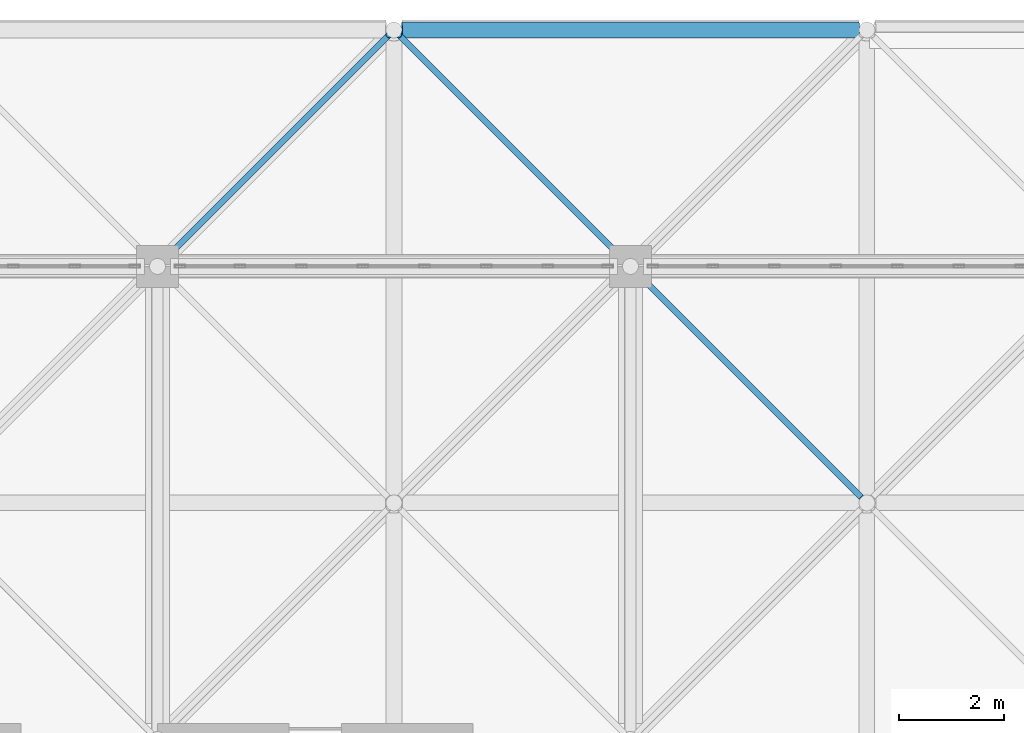
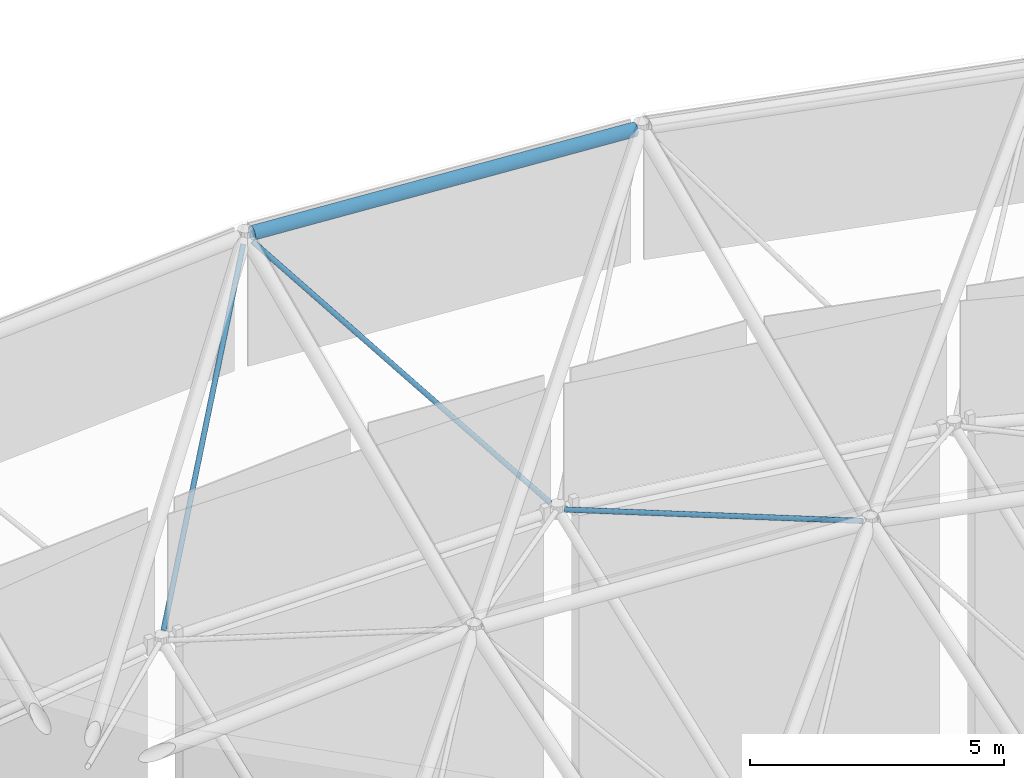
# One storey, part 128 of 437: 4 members.
"""IFC4 building model written with IfcOpenShell, lengths in metres."""

from ifc_helpers import new_model, si_unit, direction, frame, origin, origin_2d, place, context, subcontext, project, spatial, hollow_circle, extrude, material, material_profile, profile_set, type_object, element, save


model = new_model("IFC4")

# Units and contexts
model_context = context("Model", 3, precision=1e-05, world=origin(), true_north=direction((0.0, 1.0)))
body_context = subcontext(model_context, "Body", "Model", "MODEL_VIEW")
ifc_project = project(units=[si_unit("LENGTHUNIT", "METRE"), si_unit("AREAUNIT", "SQUARE_METRE"), si_unit("VOLUMEUNIT", "CUBIC_METRE"), si_unit("PLANEANGLEUNIT", "RADIAN"), si_unit("MASSUNIT", "GRAM", prefix="KILO")], contexts=[model_context])

# Site, building, storey
site_placement = place(None, origin())
site = spatial("IfcSite", under=ifc_project, at=site_placement, CompositionType="ELEMENT")
building_placement = place(site_placement, origin())
building = spatial("IfcBuilding", under=site, at=building_placement, Name="Opaline Strait Convention Centre", CompositionType="ELEMENT")
storey_placement = place(building_placement, frame((0.0, 0.0, 11.5)))
storey = spatial("IfcBuildingStorey", under=building, at=storey_placement, Name="L02", CompositionType="ELEMENT", Elevation=11.5)

# Members
ifc_material = material(Name="Steel Q355B", Category="steel")
ifc_material_profile_1 = material_profile(ifc_material, hollow_circle(Radius=0.1494140625, WallThickness=0.010009765625, at=origin_2d()), Name="CHS 299x10")
ifc_profile_set_1 = profile_set([ifc_material_profile_1], Name="Steel Q355B")
member_type_1 = type_object("IfcMemberType", Name="Shell truss top chord CHS 299x10", PredefinedType="CHORD", material=ifc_profile_set_1)
member_1_placement = place(storey_placement, frame((40.64990234375, 184.5, 22.978271484375), z_axis=(0.997991520688, 0.0, -0.063347649001), x_axis=(0.0, 1.0, 0.0)))
element("IfcMember", 1, at=member_1_placement, inside=storey, type_object=member_type_1, Name="PTC2 top chord X5-9", PredefinedType="CHORD", context=body_context, shape_type="SweptSolid", body=[
    extrude(hollow_circle(Radius=0.1494140625, WallThickness=0.010009765625, at=origin_2d()), origin(), (0.0, 0.0, 1.0), 8.7177734375),
])
ifc_material_profile_2 = material_profile(ifc_material, hollow_circle(Radius=0.056884765625, WallThickness=0.006103515625, at=origin_2d()), Name="CHS 114x6")
ifc_profile_set_2 = profile_set([ifc_material_profile_2], Name="Steel Q355B")
member_type_2 = type_object("IfcMemberType", Name="Shell truss web CHS 114x6", PredefinedType="BRACE", material=ifc_profile_set_2)
for number, where, z_axis, x_axis, name in (
    (2, (36.106201171875, 180.106201171875, 17.680419921875), (0.537670097484, 0.537670097484, 0.649478046237), (-0.707106781187, 0.707106781187, 0.0), "PWB3 web 4-8bd"),
    (3, (44.893798828125, 180.106201171875, 17.680419921875), (-0.537670097484, 0.537670097484, 0.649478046237), (-0.707106781187, -0.707106781187, 0.0), "PWB3 web 5-8ad"),
):
    element("IfcMember", number, at=place(storey_placement, frame(where, z_axis=z_axis, x_axis=x_axis)), inside=storey, type_object=member_type_2, Name=name, PredefinedType="BRACE", context=body_context, shape_type="SweptSolid", body=[
        extrude(hollow_circle(Radius=0.056884765625, WallThickness=0.006103515625, at=origin_2d()), origin(), (0.0, 0.0, 1.0), 7.974365234375),
    ])
member_2_placement = place(storey_placement, frame((45.106201171875, 179.893798828125, 17.572509765625), z_axis=(0.700674687609, -0.700674687609, 0.134573267356), x_axis=(0.707106781187, 0.707106781187, 0.0)))
element("IfcMember", 4, at=member_2_placement, inside=storey, type_object=member_type_2, Name="PWB3 web 5-8bc", PredefinedType="BRACE", context=body_context, shape_type="SweptSolid", body=[
    extrude(hollow_circle(Radius=0.056884765625, WallThickness=0.006103515625, at=origin_2d()), origin(), (0.0, 0.0, 1.0), 6.119140625),
])

save(model, "model.ifc")
